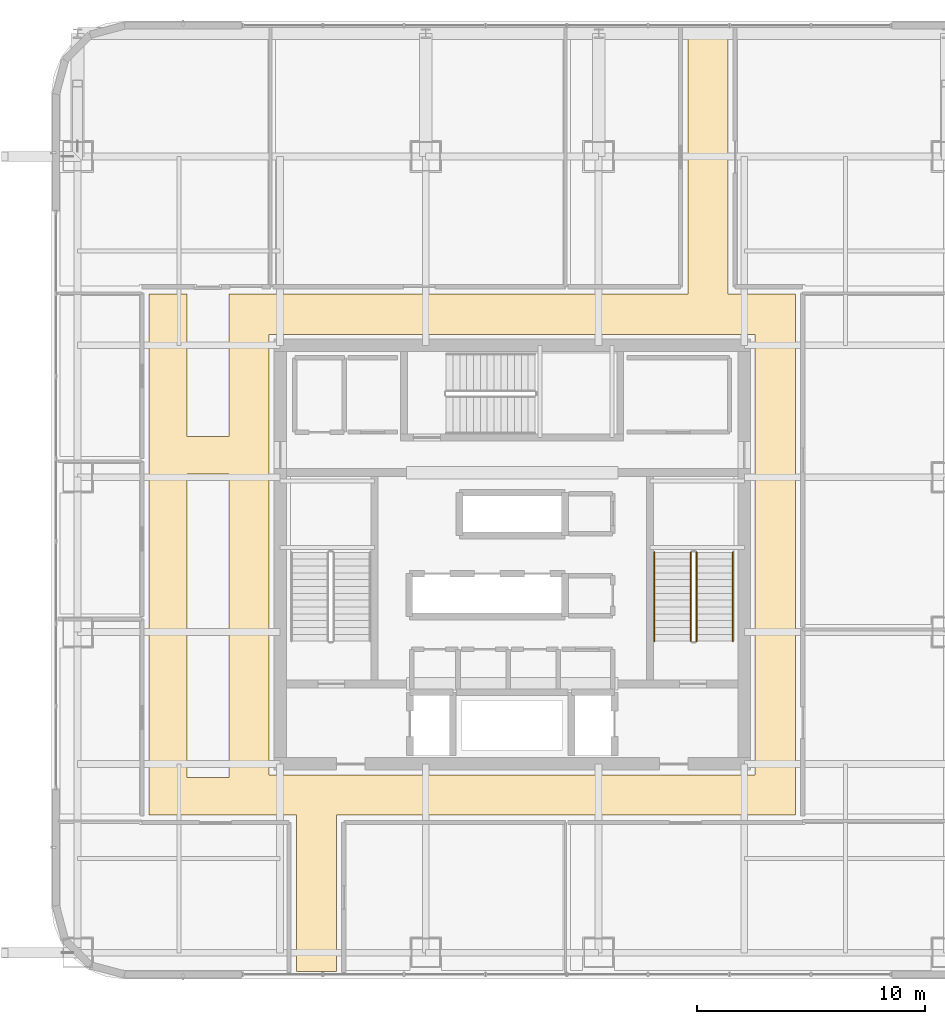
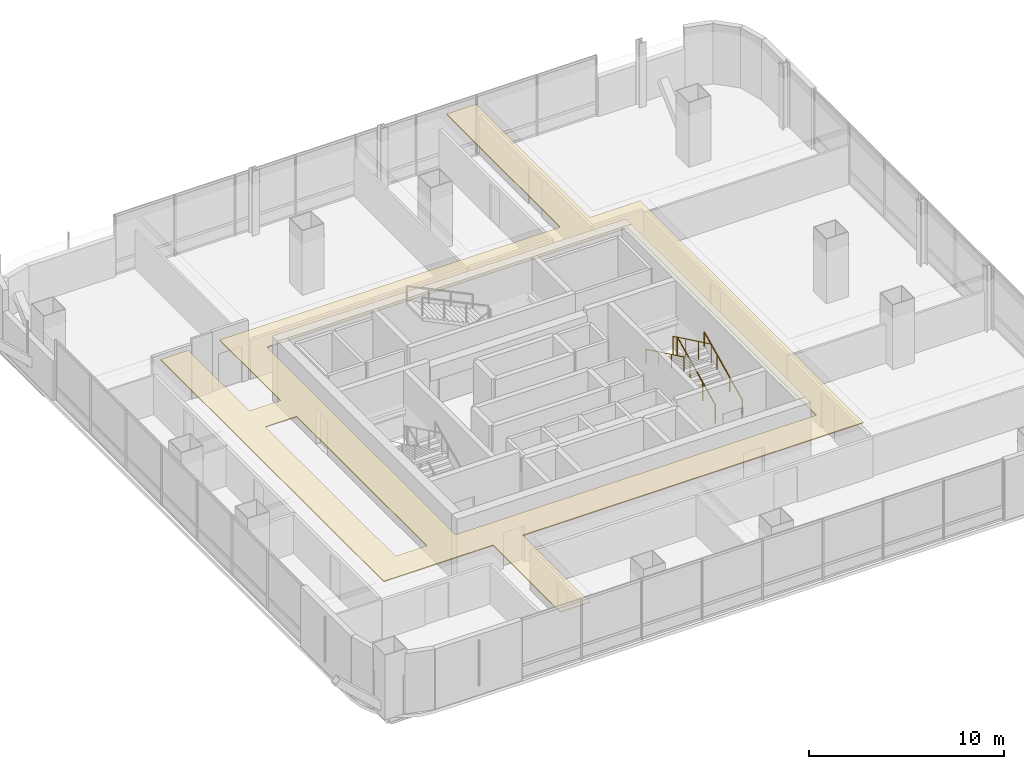
# One storey, part 44 of 51: 4 railings, 1 covering.
"""IFC4 building model written with IfcOpenShell, lengths in metres."""

from ifc_helpers import new_model, si_unit, direction, frame, origin, origin_2d, place, context, subcontext, project, spatial, polyline, circle, outline, extrude, material, layer, layer_set, type_object, element, save


model = new_model("IFC4")

# Units and contexts
model_context = context("Model", 3, precision=1e-05, world=origin(), true_north=direction((0.0, 1.0)))
body_context = subcontext(model_context, "Body", "Model", "MODEL_VIEW")
ifc_project = project(units=[si_unit("LENGTHUNIT", "METRE"), si_unit("AREAUNIT", "SQUARE_METRE"), si_unit("VOLUMEUNIT", "CUBIC_METRE"), si_unit("PLANEANGLEUNIT", "RADIAN"), si_unit("MASSUNIT", "GRAM", prefix="KILO")], contexts=[model_context])

# Site, building, storey
site_placement = place(None, origin())
site = spatial("IfcSite", under=ifc_project, at=site_placement, CompositionType="ELEMENT")
building_placement = place(site_placement, origin())
building = spatial("IfcBuilding", under=site, at=building_placement, Name="Punatoya Terracotta Tower", CompositionType="ELEMENT")
storey_placement = place(building_placement, frame((0.0, 0.0, 279.75)))
storey = spatial("IfcBuildingStorey", under=building, at=storey_placement, Name="L66", CompositionType="ELEMENT", Elevation=279.75)

# Covering
ifc_material_1 = material(Name="Acoustic Mineral Fibre Ceiling")
ifc_layer = layer(ifc_material_1, 0.06005859375)
ifc_layer_set = layer_set([ifc_layer], Name="Acoustic Mineral Fibre Ceiling")
covering_type = type_object("IfcCoveringType", Name="COV-CEIL-60", PredefinedType="CEILING", material=ifc_layer_set)
covering_placement = place(storey_placement, frame((0.0, 0.0, 3.239990234375)))
element("IfcCovering", 1, at=covering_placement, inside=storey, type_object=covering_type, Name="L66 Loop Circulation Corridor Acoustic Ceiling", PredefinedType="CEILING", context=body_context, shape_type="SweptSolid", body=[
    extrude(outline(polyline([(-12.449951171875, 5.199951171875), (-14.300048828125, 5.199951171875), (-14.300048828125, 11.449951171875), (-15.949951171875, 11.449951171875), (-15.949951171875, -11.449951171875), (-9.47998046875, -11.449951171875), (-9.47998046875, -18.330078125), (-7.719970703125, -18.330078125), (-7.719970703125, -11.449951171875), (12.449951171875, -11.449951171875), (12.449951171875, 11.449951171875), (9.47998046875, 11.449951171875), (9.47998046875, 23.1298828125), (7.719970703125, 23.1298828125), (7.719970703125, 11.449951171875), (-12.449951171875, 11.449951171875), (-12.449951171875, 5.199951171875)]), holes=[polyline([(10.679931640625, -9.679931640625), (-10.679931640625, -9.679931640625), (-10.679931640625, 9.679931640625), (10.679931640625, 9.679931640625), (10.679931640625, -9.679931640625)]), polyline([(-12.449951171875, -9.800048828125), (-14.300048828125, -9.800048828125), (-14.300048828125, 3.550048828125), (-12.449951171875, 3.550048828125), (-12.449951171875, -9.800048828125)])]), origin(), (0.0, 0.0, 1.0), 0.06005859375),
])

# Railings
ifc_material_2 = material(Name="Steel S355", Category="steel")
railing_type_1 = type_object("IfcRailingType", Name="RLG-GRD-1150", PredefinedType="GUARDRAIL", material=ifc_material_2)
railing_1_placement = place(storey_placement, frame((8.10009765625, -3.800048828125, 0.14453125)))
element("IfcRailing", 2, at=railing_1_placement, inside=storey, type_object=railing_type_1, Name="L66 ST-2 stair guard 1", PredefinedType="GUARDRAIL", context=body_context, shape_type="SweptSolid", body=[
    extrude(circle(Radius=0.02392578125, at=origin_2d()), frame((0.0, 0.0, 1.1259765625), z_axis=(0.0, 0.900773802044, 0.434288564841), x_axis=(-1.0, 0.0, 0.0)), (0.0, 0.0, 1.0), 4.329833984375),
    extrude(circle(Radius=0.02099609375, at=origin_2d()), origin(), (0.0, 0.0, 1.0), 1.101806640625),
    extrude(circle(Radius=0.02099609375, at=origin_2d()), frame((0.0, 1.300048828125, 0.626708984375)), (0.0, 0.0, 1.0), 1.101806640625),
    extrude(circle(Radius=0.02099609375, at=origin_2d()), frame((0.0, 2.60009765625, 1.253662109375)), (0.0, 0.0, 1.0), 1.101806640625),
    extrude(circle(Radius=0.02099609375, at=origin_2d()), frame((0.0, 3.900146484375, 1.88037109375)), (0.0, 0.0, 1.0), 1.101806640625),
])
railing_2_placement = place(storey_placement, frame((7.85009765625, 0.10009765625, 2.169677734375)))
element("IfcRailing", 3, at=railing_2_placement, inside=storey, type_object=railing_type_1, Name="L66 ST-2 stair guard 3", PredefinedType="GUARDRAIL", context=body_context, shape_type="SweptSolid", body=[
    extrude(circle(Radius=0.02392578125, at=origin_2d()), frame((0.0, 0.0, 1.1259765625), z_axis=(0.0, -0.900773802044, 0.434288564841), x_axis=(1.0, 0.0, 0.0)), (0.0, 0.0, 1.0), 4.329833984375),
    extrude(circle(Radius=0.02099609375, at=origin_2d()), origin(), (0.0, 0.0, 1.0), 1.101806640625),
    extrude(circle(Radius=0.02099609375, at=origin_2d()), frame((0.0, -1.300048828125, 0.626708984375)), (0.0, 0.0, 1.0), 1.101806640625),
    extrude(circle(Radius=0.02099609375, at=origin_2d()), frame((0.0, -2.60009765625, 1.253662109375)), (0.0, 0.0, 1.0), 1.101806640625),
    extrude(circle(Radius=0.02099609375, at=origin_2d()), frame((0.0, -3.900146484375, 1.88037109375)), (0.0, 0.0, 1.0), 1.101806640625),
])
railing_type_2 = type_object("IfcRailingType", Name="RLG-HND-900", PredefinedType="HANDRAIL", material=ifc_material_2)
railing_3_placement = place(storey_placement, frame((9.699951171875, -3.800048828125, 0.14453125)))
element("IfcRailing", 4, at=railing_3_placement, inside=storey, type_object=railing_type_2, Name="L66 ST-2 stair handrail 1", PredefinedType="HANDRAIL", context=body_context, shape_type="SweptSolid", body=[
    extrude(circle(Radius=0.02392578125, at=origin_2d()), frame((0.0, 0.0, 0.8759765625), z_axis=(0.0, 0.900773802044, 0.434288564841), x_axis=(-1.0, 0.0, 0.0)), (0.0, 0.0, 1.0), 4.329833984375),
    extrude(circle(Radius=0.02099609375, at=origin_2d()), origin(), (0.0, 0.0, 1.0), 0.851806640625),
    extrude(circle(Radius=0.02099609375, at=origin_2d()), frame((0.0, 1.300048828125, 0.626708984375)), (0.0, 0.0, 1.0), 0.851806640625),
    extrude(circle(Radius=0.02099609375, at=origin_2d()), frame((0.0, 2.60009765625, 1.253662109375)), (0.0, 0.0, 1.0), 0.851806640625),
    extrude(circle(Radius=0.02099609375, at=origin_2d()), frame((0.0, 3.900146484375, 1.88037109375)), (0.0, 0.0, 1.0), 0.851806640625),
])
railing_4_placement = place(storey_placement, frame((6.25, 0.10009765625, 2.169677734375)))
element("IfcRailing", 5, at=railing_4_placement, inside=storey, type_object=railing_type_2, Name="L66 ST-2 stair handrail 2", PredefinedType="HANDRAIL", context=body_context, shape_type="SweptSolid", body=[
    extrude(circle(Radius=0.02392578125, at=origin_2d()), frame((0.0, 0.0, 0.8759765625), z_axis=(0.0, -0.900773802044, 0.434288564841), x_axis=(1.0, 0.0, 0.0)), (0.0, 0.0, 1.0), 4.329833984375),
    extrude(circle(Radius=0.02099609375, at=origin_2d()), origin(), (0.0, 0.0, 1.0), 0.851806640625),
    extrude(circle(Radius=0.02099609375, at=origin_2d()), frame((0.0, -1.300048828125, 0.626708984375)), (0.0, 0.0, 1.0), 0.851806640625),
    extrude(circle(Radius=0.02099609375, at=origin_2d()), frame((0.0, -2.60009765625, 1.253662109375)), (0.0, 0.0, 1.0), 0.851806640625),
    extrude(circle(Radius=0.02099609375, at=origin_2d()), frame((0.0, -3.900146484375, 1.88037109375)), (0.0, 0.0, 1.0), 0.851806640625),
])

save(model, "model.ifc")
